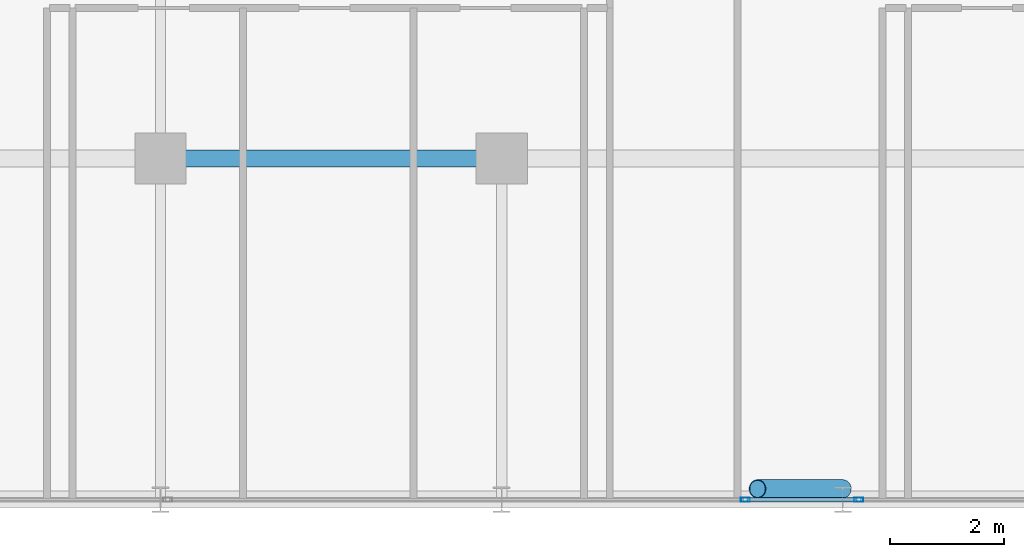
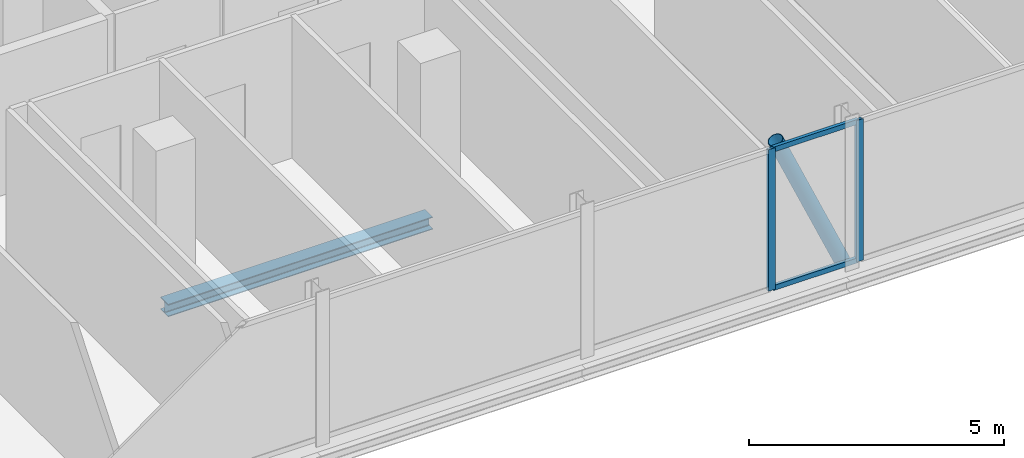
# One storey, part 10 of 29: 5 members, 1 beam, 2 elements without a shape of their own.
"""IFC4 building model written with IfcOpenShell, lengths in metres."""

from ifc_helpers import new_model, si_unit, direction, frame, origin, origin_2d, place, context, subcontext, project, spatial, hollow_rectangle, hollow_circle, i_section, extrude, material, layer, layer_set, material_profile, profile_set, type_object, element, aggregate, save


model = new_model("IFC4")

# Units and contexts
model_context = context("Model", 3, precision=1e-05, world=origin(), true_north=direction((0.0, 1.0)))
body_context = subcontext(model_context, "Body", "Model", "MODEL_VIEW")
ifc_project = project(units=[si_unit("LENGTHUNIT", "METRE"), si_unit("AREAUNIT", "SQUARE_METRE"), si_unit("VOLUMEUNIT", "CUBIC_METRE"), si_unit("PLANEANGLEUNIT", "RADIAN"), si_unit("MASSUNIT", "GRAM", prefix="KILO")], contexts=[model_context])

# Site, building, storey
site_placement = place(None, origin())
site = spatial("IfcSite", under=ifc_project, at=site_placement, CompositionType="ELEMENT")
building_placement = place(site_placement, origin())
building = spatial("IfcBuilding", under=site, at=building_placement, Name="Keshet Zoharim Tower", CompositionType="ELEMENT")
storey_placement = place(building_placement, frame((0.0, 0.0, 192.10009765625)))
storey = spatial("IfcBuildingStorey", under=building, at=storey_placement, Name="L47", CompositionType="ELEMENT", Elevation=192.10009765625)

# Beam
ifc_material_1 = material(Name="Steel S355", Category="steel")
ifc_material_profile_1 = material_profile(ifc_material_1, i_section(OverallWidth=0.300048828125, OverallDepth=0.300048828125, WebThickness=0.010986328125, FlangeThickness=0.01904296875, FilletRadius=0.027099609375, at=origin_2d()), Name="HEB300")
ifc_profile_set_1 = profile_set([ifc_material_profile_1], Name="Steel S355")
beam_type = type_object("IfcBeamType", Name="BM-PRI-HB300", PredefinedType="BEAM", material=ifc_profile_set_1)
beam_placement = place(storey_placement, frame((33.0, 6.699951171875, -0.460205078125), z_axis=(1.0, 0.0, 0.0), x_axis=(0.0, 1.0, 0.0)))
element("IfcBeam", 1, at=beam_placement, inside=storey, type_object=beam_type, Name="L47 Primary Girder X-007", PredefinedType="BEAM", context=body_context, shape_type="SweptSolid", body=[
    extrude(i_section(OverallWidth=0.300048828125, OverallDepth=0.300048828125, WebThickness=0.010986328125, FlangeThickness=0.01904296875, FilletRadius=0.027099609375, at=origin_2d()), origin(), (0.0, 0.0, 1.0), 6.0),
])

# Curtain wall, member
ifc_material_2 = material(Name="Aluminium 6063-T6", Category="aluminium")
ifc_layer = layer(ifc_material_2, 0.139892578125)
ifc_layer_set = layer_set([ifc_layer], Name="Aluminium 6063-T6")
curtain_wall_type = type_object("IfcCurtainWallType", Name="CW-SYS-05", PredefinedType="NOTDEFINED", material=ifc_layer_set)
curtain_wall_1_placement = place(storey_placement, origin())
curtain_wall_1 = element("IfcCurtainWall", 2, at=curtain_wall_1_placement, inside=storey, type_object=curtain_wall_type, Name="L47 Unitised Curtain Wall 06", PredefinedType="NOTDEFINED")
ifc_material_profile_2 = material_profile(ifc_material_2, hollow_rectangle(XDim=0.074951171875, YDim=0.159912109375, WallThickness=0.00390625, at=origin_2d()), Name="MUL-75x160")
ifc_profile_set_2 = profile_set([ifc_material_profile_2], Name="Aluminium 6063-T6")
member_type_1 = type_object("IfcMemberType", Name="CWM-M15", PredefinedType="MULLION", material=ifc_profile_set_2)
member_1_placement = place(storey_placement, frame((45.283203125, 0.699951171875, 0.0), z_axis=(0.0, 0.0, 1.0), x_axis=(0.0, -1.0, 0.0)))
member_1 = element("IfcMember", 3, at=member_1_placement, type_object=member_type_1, Name="CW-05 mullion 2", PredefinedType="MULLION", context=body_context, shape_type="SweptSolid", body=[
    extrude(hollow_rectangle(XDim=0.074951171875, YDim=0.159912109375, WallThickness=0.00390625, at=origin_2d()), origin(), (0.0, 0.0, 1.0), 3.389892578125),
])
aggregate(curtain_wall_1, [member_1])

# Curtain wall, members
curtain_wall_2_placement = place(storey_placement, origin())
curtain_wall_2 = element("IfcCurtainWall", 4, at=curtain_wall_2_placement, inside=storey, type_object=curtain_wall_type, Name="L47 Unitised Curtain Wall 06 Part 2", PredefinedType="NOTDEFINED")
member_2_placement = place(storey_placement, frame((43.286865234375, 0.699951171875, 0.0), z_axis=(0.0, 0.0, 1.0), x_axis=(0.0, -1.0, 0.0)))
member_2 = element("IfcMember", 5, at=member_2_placement, type_object=member_type_1, Name="CW-05 mullion 2", PredefinedType="MULLION", context=body_context, shape_type="SweptSolid", body=[
    extrude(hollow_rectangle(XDim=0.074951171875, YDim=0.159912109375, WallThickness=0.00390625, at=origin_2d()), origin(), (0.0, 0.0, 1.0), 3.389892578125),
])
ifc_material_profile_3 = material_profile(ifc_material_2, hollow_rectangle(XDim=0.074951171875, YDim=0.1201171875, WallThickness=0.00390625, at=origin_2d()), Name="TRN-75x120")
ifc_profile_set_3 = profile_set([ifc_material_profile_3], Name="Aluminium 6063-T6")
member_type_2 = type_object("IfcMemberType", Name="CWT-T12", PredefinedType="USERDEFINED", material=ifc_profile_set_3)
member_3_placement = place(storey_placement, frame((45.248046875, 0.699951171875, 0.034912109375), z_axis=(-1.0, 0.0, 0.0), x_axis=(0.0, -1.0, 0.0)))
member_3 = element("IfcMember", 6, at=member_3_placement, type_object=member_type_2, Name="CW-05 transom 1.1", ObjectType="TRANSOM", PredefinedType="USERDEFINED", context=body_context, shape_type="SweptSolid", body=[
    extrude(hollow_rectangle(XDim=0.074951171875, YDim=0.1201171875, WallThickness=0.00390625, at=origin_2d()), origin(), (0.0, 0.0, 1.0), 1.926025390625),
])
member_4_placement = place(storey_placement, frame((45.248046875, 0.699951171875, 3.35498046875), z_axis=(-1.0, 0.0, 0.0), x_axis=(0.0, -1.0, 0.0)))
member_4 = element("IfcMember", 7, at=member_4_placement, type_object=member_type_2, Name="CW-05 transom 1.2", ObjectType="TRANSOM", PredefinedType="USERDEFINED", context=body_context, shape_type="SweptSolid", body=[
    extrude(hollow_rectangle(XDim=0.074951171875, YDim=0.1201171875, WallThickness=0.00390625, at=origin_2d()), origin(), (0.0, 0.0, 1.0), 1.926025390625),
])
aggregate(curtain_wall_2, [member_2, member_3, member_4])

# Member
ifc_material_profile_4 = material_profile(ifc_material_1, hollow_circle(Radius=0.161865234375, WallThickness=0.012451171875, at=origin_2d()), Name="CHS323x12.5")
ifc_profile_set_4 = profile_set([ifc_material_profile_4], Name="Steel S355")
member_type_3 = type_object("IfcMemberType", Name="MB-BR-C323", PredefinedType="BRACE", material=ifc_profile_set_4)
member_5_placement = place(storey_placement, frame((45.0, 0.889892578125, 0.0), z_axis=(-0.40464689807, 0.0, 0.914473011019), x_axis=(0.0, -1.0, 0.0)))
element("IfcMember", 8, at=member_5_placement, inside=storey, type_object=member_type_3, Name="L47 Perimeter Tube Brace 03", PredefinedType="BRACE", context=body_context, shape_type="SweptSolid", body=[
    extrude(hollow_circle(Radius=0.161865234375, WallThickness=0.012451171875, at=origin_2d()), origin(), (0.0, 0.0, 1.0), 3.70703125),
])

save(model, "model.ifc")
